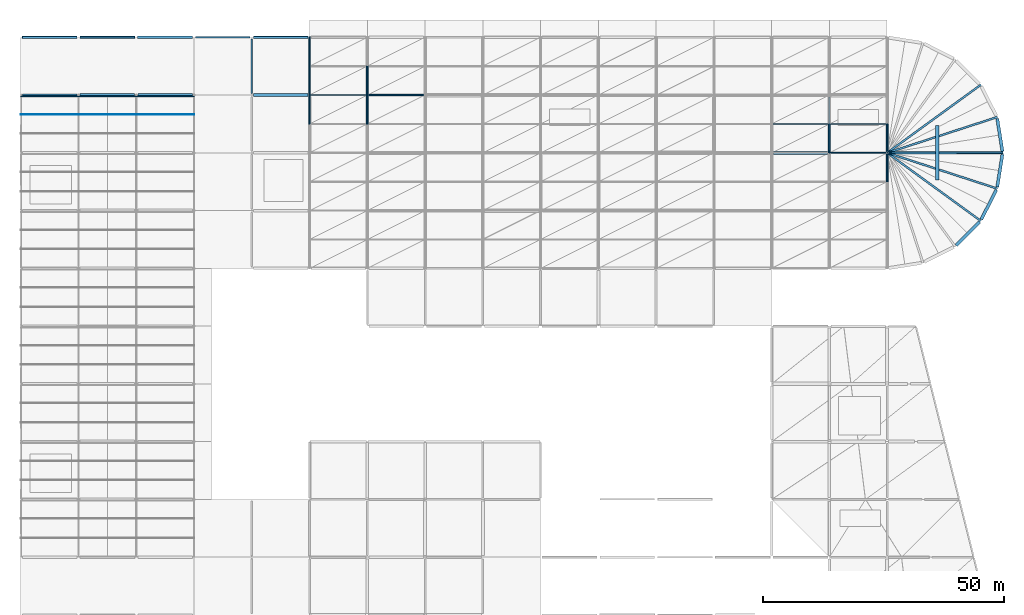
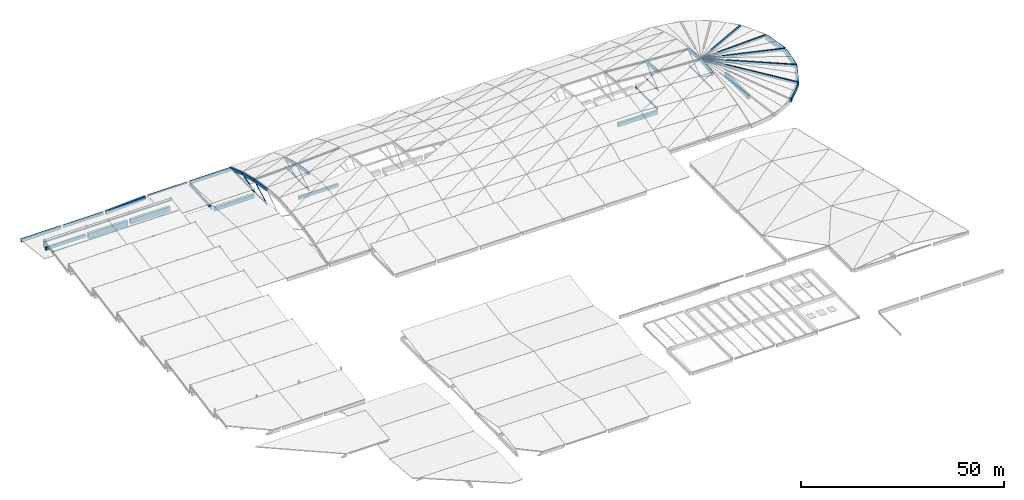
# One storey, part 15 of 23: 39 beams, 19 members.
"""IFC4 building model written with IfcOpenShell, lengths in metres."""

from ifc_helpers import new_model, si_unit, direction, frame, origin, origin_2d, place, context, subcontext, project, spatial, rectangle, hollow_circle, i_section, extrude, material, material_profile, profile_set, type_object, element, save


model = new_model("IFC4")

# Units and contexts
model_context = context("Model", 3, precision=1e-05, world=origin(), true_north=direction((0.0, 1.0)))
body_context = subcontext(model_context, "Body", "Model", "MODEL_VIEW")
ifc_project = project(units=[si_unit("LENGTHUNIT", "METRE"), si_unit("AREAUNIT", "SQUARE_METRE"), si_unit("VOLUMEUNIT", "CUBIC_METRE"), si_unit("PLANEANGLEUNIT", "RADIAN"), si_unit("MASSUNIT", "GRAM", prefix="KILO")], contexts=[model_context])

# Site, building, storey
site_placement = place(None, origin())
site = spatial("IfcSite", under=ifc_project, at=site_placement, CompositionType="ELEMENT")
building_placement = place(site_placement, origin())
building = spatial("IfcBuilding", under=site, at=building_placement, Name="Kamomehara Wholesale Market", CompositionType="ELEMENT")
storey_placement = place(building_placement, frame((0.0, 0.0, 21.0)))
storey = spatial("IfcBuildingStorey", under=building, at=storey_placement, Name="RF", CompositionType="ELEMENT", Elevation=21.0)

# Beams
ifc_material_1 = material(Name="Precast concrete Fc45 (C40/50)", Category="concrete")
ifc_material_profile_1 = material_profile(ifc_material_1, rectangle(XDim=0.60009765625, YDim=1.10009765625, at=origin_2d()), Name="PC-GRD-600x1100")
ifc_profile_set_1 = profile_set([ifc_material_profile_1], Name="Precast concrete Fc45 (C40/50)")
beam_type_1 = type_object("IfcBeamType", Name="BM-PG1100", PredefinedType="T_BEAM", material=ifc_profile_set_1)
beam_1_placement = place(storey_placement, frame((48.360107421875, 144.0, -10.14990234375), z_axis=(1.0, 0.0, 0.0), x_axis=(0.0, 1.0, 0.0)))
element("IfcBeam", 1, at=beam_1_placement, inside=storey, type_object=beam_type_1, Name="Beam PG-07 RF", PredefinedType="T_BEAM", context=body_context, shape_type="SweptSolid", body=[
    extrude(rectangle(XDim=0.60009765625, YDim=1.10009765625, at=origin_2d()), origin(), (0.0, 0.0, 1.0), 11.27978515625),
])
ifc_material_2 = material(Name="Precast concrete Fc45 (C40/50)", Category="concrete")
ifc_material_profile_2 = material_profile(ifc_material_2, rectangle(XDim=0.580078125, YDim=1.179931640625, at=origin_2d()), Name="PC-GRD-580x1180")
ifc_profile_set_2 = profile_set([ifc_material_profile_2], Name="Precast concrete Fc45 (C40/50)")
beam_type_2 = type_object("IfcBeamType", Name="BM-PG1180", PredefinedType="T_BEAM", material=ifc_profile_set_2)
beam_2_placement = place(storey_placement, frame((156.375, 132.0, -15.342041015625), z_axis=(1.0, 0.0, 0.0), x_axis=(0.0, 1.0, 0.0)))
element("IfcBeam", 2, at=beam_2_placement, inside=storey, type_object=beam_type_2, Name="Beam PG-14 RF", PredefinedType="T_BEAM", context=body_context, shape_type="SweptSolid", body=[
    extrude(rectangle(XDim=0.580078125, YDim=1.179931640625, at=origin_2d()), origin(), (0.0, 0.0, 1.0), 11.25),
])
ifc_material_3 = material(Name="Precast concrete Fc45 (C40/50)", Category="concrete")
ifc_material_profile_3 = material_profile(ifc_material_3, rectangle(XDim=0.64990234375, YDim=1.35009765625, at=origin_2d()), Name="PC-GRD-650x1350")
ifc_profile_set_3 = profile_set([ifc_material_profile_3], Name="Precast concrete Fc45 (C40/50)")
beam_type_3 = type_object("IfcBeamType", Name="BM-PG1350", PredefinedType="T_BEAM", material=ifc_profile_set_3)
beam_3_placement = place(storey_placement, frame((190.39208984375, 126.324951171875, -15.4169921875), z_axis=(0.0, 1.0, 0.0), x_axis=(-1.0, 0.0, 0.0)))
element("IfcBeam", 3, at=beam_3_placement, inside=storey, type_object=beam_type_3, Name="Beam PG-03 RF", PredefinedType="T_BEAM", context=body_context, shape_type="SweptSolid", body=[
    extrude(rectangle(XDim=0.64990234375, YDim=1.35009765625, at=origin_2d()), origin(), (0.0, 0.0, 1.0), 11.35009765625),
])
ifc_material_4 = material(Name="Precast concrete Fc45 (C40/50)", Category="concrete")
ifc_material_profile_4 = material_profile(ifc_material_4, rectangle(XDim=0.699951171875, YDim=1.39990234375, at=origin_2d()), Name="PC-GRD-700x1400")
ifc_profile_set_4 = profile_set([ifc_material_profile_4], Name="Precast concrete Fc45 (C40/50)")
beam_type_4 = type_object("IfcBeamType", Name="BM-PG1400", PredefinedType="T_BEAM", material=ifc_profile_set_4)
beam_4_placement = place(storey_placement, frame((24.340087890625, 144.0, -5.5), z_axis=(1.0, 0.0, 0.0), x_axis=(0.0, 1.0, 0.0)))
element("IfcBeam", 4, at=beam_4_placement, inside=storey, type_object=beam_type_4, Name="Beam PG-02 RF", PredefinedType="T_BEAM", context=body_context, shape_type="SweptSolid", body=[
    extrude(rectangle(XDim=0.699951171875, YDim=1.39990234375, at=origin_2d()), origin(), (0.0, 0.0, 1.0), 11.31982421875),
])
ifc_material_5 = material(Name="Precast concrete Fc45 (C40/50)", Category="concrete")
ifc_material_profile_5 = material_profile(ifc_material_5, rectangle(XDim=0.75, YDim=1.5, at=origin_2d()), Name="PC-GRD-750x1500")
ifc_profile_set_5 = profile_set([ifc_material_profile_5], Name="Precast concrete Fc45 (C40/50)")
beam_type_5 = type_object("IfcBeamType", Name="BM-PG1500", PredefinedType="T_BEAM", material=ifc_profile_set_5)
beam_5_placement = place(storey_placement, frame((12.340087890625, 144.0, -5.550048828125), z_axis=(1.0, 0.0, 0.0), x_axis=(0.0, 1.0, 0.0)))
element("IfcBeam", 5, at=beam_5_placement, inside=storey, type_object=beam_type_5, Name="Beam PG-01 RF", PredefinedType="T_BEAM", context=body_context, shape_type="SweptSolid", body=[
    extrude(rectangle(XDim=0.75, YDim=1.5, at=origin_2d()), origin(), (0.0, 0.0, 1.0), 11.31982421875),
])
ifc_material_6 = material(Name="Precast concrete Fc45 (C40/50)", Category="concrete")
ifc_material_profile_6 = material_profile(ifc_material_6, rectangle(XDim=0.5, YDim=0.89990234375, at=origin_2d()), Name="PC-GRD-500x900")
ifc_profile_set_6 = profile_set([ifc_material_profile_6], Name="Precast concrete Fc45 (C40/50)")
beam_type_6 = type_object("IfcBeamType", Name="BM-PG900", PredefinedType="T_BEAM", material=ifc_profile_set_6)
beam_6_placement = place(storey_placement, frame((0.340087890625, 144.0, -5.25), z_axis=(1.0, 0.0, 0.0), x_axis=(0.0, 1.0, 0.0)))
element("IfcBeam", 6, at=beam_6_placement, inside=storey, type_object=beam_type_6, Name="Beam PG-10 RF", PredefinedType="T_BEAM", context=body_context, shape_type="SweptSolid", body=[
    extrude(rectangle(XDim=0.5, YDim=0.89990234375, at=origin_2d()), origin(), (0.0, 0.0, 1.0), 11.31982421875),
])
ifc_material_7 = material(Name="Precast concrete Fc45 (C40/50)", Category="concrete")
ifc_material_profile_7 = material_profile(ifc_material_7, rectangle(XDim=0.47998046875, YDim=0.949951171875, at=origin_2d()), Name="PC-GRD-480x950")
ifc_profile_set_7 = profile_set([ifc_material_profile_7], Name="Precast concrete Fc45 (C40/50)")
beam_type_7 = type_object("IfcBeamType", Name="BM-PG950", PredefinedType="T_BEAM", material=ifc_profile_set_7)
beam_7_placement = place(storey_placement, frame((72.375, 144.0, -15.217041015625), z_axis=(1.0, 0.0, 0.0), x_axis=(0.0, 1.0, 0.0)))
element("IfcBeam", 7, at=beam_7_placement, inside=storey, type_object=beam_type_7, Name="Beam PG-16 RF", PredefinedType="T_BEAM", context=body_context, shape_type="SweptSolid", body=[
    extrude(rectangle(XDim=0.47998046875, YDim=0.949951171875, at=origin_2d()), origin(), (0.0, 0.0, 1.0), 11.25),
])
ifc_material_8 = material(Name="Concrete Fc36 (C35/45)", Category="concrete")
ifc_material_profile_8 = material_profile(ifc_material_8, rectangle(XDim=0.39990234375, YDim=0.699951171875, at=origin_2d()), Name="RC-RIB-400x700")
ifc_profile_set_8 = profile_set([ifc_material_profile_8], Name="Concrete Fc36 (C35/45)")
beam_type_8 = type_object("IfcBeamType", Name="BM-RIB700", PredefinedType="BEAM", material=ifc_profile_set_8)
beam_8_placement = place(storey_placement, frame((199.416015625, 117.89306640625, -9.25), z_axis=(-0.789975624552, 0.573966043882, 0.215642048504), x_axis=(-0.587795411361, -0.809009613282, 0.0)))
element("IfcBeam", 8, at=beam_8_placement, inside=storey, type_object=beam_type_8, Name="Apse radial shell rib 6", PredefinedType="BEAM", context=body_context, shape_type="SweptSolid", body=[
    extrude(rectangle(XDim=0.39990234375, YDim=0.699951171875, at=origin_2d()), origin(), (0.0, 0.0, 1.0), 24.577880859375),
])
beam_9_placement = place(storey_placement, frame((202.824951171875, 124.583984375, -9.25), z_axis=(-0.928683199088, 0.301736860826, 0.215644110866), x_axis=(-0.30900717359, -0.951059707206, 0.0)))
element("IfcBeam", 9, at=beam_9_placement, inside=storey, type_object=beam_type_8, Name="Apse radial shell rib 8", PredefinedType="BEAM", context=body_context, shape_type="SweptSolid", body=[
    extrude(rectangle(XDim=0.39990234375, YDim=0.699951171875, at=origin_2d()), origin(), (0.0, 0.0, 1.0), 24.57763671875),
])
beam_10_placement = place(storey_placement, frame((204.0, 132.0, -9.25), z_axis=(-0.976472984416, 0.0, 0.215639770698), x_axis=(0.0, -1.0, 0.0)))
element("IfcBeam", 10, at=beam_10_placement, inside=storey, type_object=beam_type_8, Name="Apse radial shell rib 10", PredefinedType="BEAM", context=body_context, shape_type="SweptSolid", body=[
    extrude(rectangle(XDim=0.39990234375, YDim=0.699951171875, at=origin_2d()), origin(), (0.0, 0.0, 1.0), 24.578369140625),
])
beam_11_placement = place(storey_placement, frame((202.824951171875, 139.416015625, -9.25), z_axis=(-0.928683199088, -0.301736860826, 0.215644110866), x_axis=(0.30900717359, -0.951059707206, 0.0)))
element("IfcBeam", 11, at=beam_11_placement, inside=storey, type_object=beam_type_8, Name="Apse radial shell rib 12", PredefinedType="BEAM", context=body_context, shape_type="SweptSolid", body=[
    extrude(rectangle(XDim=0.39990234375, YDim=0.699951171875, at=origin_2d()), origin(), (0.0, 0.0, 1.0), 24.57763671875),
])
beam_12_placement = place(storey_placement, frame((199.416015625, 146.10693359375, -9.25), z_axis=(-0.789975624552, -0.573966043882, 0.215642048504), x_axis=(0.587795411361, -0.809009613282, 0.0)))
element("IfcBeam", 12, at=beam_12_placement, inside=storey, type_object=beam_type_8, Name="Apse radial shell rib 14", PredefinedType="BEAM", context=body_context, shape_type="SweptSolid", body=[
    extrude(rectangle(XDim=0.39990234375, YDim=0.699951171875, at=origin_2d()), origin(), (0.0, 0.0, 1.0), 24.577880859375),
])
ifc_material_9 = material(Name="Concrete Fc36 (C35/45)", Category="concrete")
ifc_material_profile_9 = material_profile(ifc_material_9, rectangle(XDim=0.449951171875, YDim=0.800048828125, at=origin_2d()), Name="RC-RIB-450x800")
ifc_profile_set_9 = profile_set([ifc_material_profile_9], Name="Concrete Fc36 (C35/45)")
beam_type_9 = type_object("IfcBeamType", Name="BM-RIB800", PredefinedType="BEAM", material=ifc_profile_set_9)
beam_13_placement = place(storey_placement, frame((72.0, 138.0, -4.205078125), z_axis=(0.0, 0.986046918552, -0.166467637739), x_axis=(-1.0, 0.0, 0.0)))
element("IfcBeam", 13, at=beam_13_placement, inside=storey, type_object=beam_type_9, Name="Shell arch rib V1 14", PredefinedType="BEAM", context=body_context, shape_type="SweptSolid", body=[
    extrude(rectangle(XDim=0.449951171875, YDim=0.800048828125, at=origin_2d()), origin(), (0.0, 0.0, 1.0), 6.0849609375),
])
beam_14_placement = place(storey_placement, frame((72.0, 144.0, -5.218017578125), z_axis=(0.0, 0.962630519631, -0.270818172719), x_axis=(-1.0, 0.0, 0.0)))
element("IfcBeam", 14, at=beam_14_placement, inside=storey, type_object=beam_type_9, Name="Shell arch rib V1 15", PredefinedType="BEAM", context=body_context, shape_type="SweptSolid", body=[
    extrude(rectangle(XDim=0.449951171875, YDim=0.800048828125, at=origin_2d()), origin(), (0.0, 0.0, 1.0), 6.23291015625),
])
for number, where, z_axis, x_axis, name in (
    (15, (180.0, 126.0, -4.722900390625), (0.0, 0.99577984843, 0.091774143746), (-1.0, 0.0, 0.0), "Shell arch rib V1 84"),
    (16, (180.0, 132.0, -4.169921875), (0.0, 0.99577984843, -0.091774143746), (-1.0, 0.0, 0.0), "Shell arch rib V1 85"),
):
    element("IfcBeam", number, at=place(storey_placement, frame(where, z_axis=z_axis, x_axis=x_axis)), inside=storey, type_object=beam_type_9, Name=name, PredefinedType="BEAM", context=body_context, shape_type="SweptSolid", body=[
        extrude(rectangle(XDim=0.449951171875, YDim=0.800048828125, at=origin_2d()), origin(), (0.0, 0.0, 1.0), 6.025390625),
    ])
ifc_material_10 = material(Name="Concrete Fc36 (C35/45)", Category="concrete")
ifc_material_profile_10 = material_profile(ifc_material_10, rectangle(XDim=0.5, YDim=0.85009765625, at=origin_2d()), Name="RC-RIB-500x850")
ifc_profile_set_10 = profile_set([ifc_material_profile_10], Name="Concrete Fc36 (C35/45)")
beam_type_10 = type_object("IfcBeamType", Name="BM-RIB850", PredefinedType="BEAM", material=ifc_profile_set_10)
beam_15_placement = place(storey_placement, frame((60.0, 138.0, -4.748046875), z_axis=(0.0, 0.988695452542, -0.149937660792), x_axis=(-1.0, 0.0, 0.0)))
element("IfcBeam", 17, at=beam_15_placement, inside=storey, type_object=beam_type_10, Name="Shell arch rib V1 6", PredefinedType="BEAM", context=body_context, shape_type="SweptSolid", body=[
    extrude(rectangle(XDim=0.5, YDim=0.85009765625, at=origin_2d()), origin(), (0.0, 0.0, 1.0), 6.068603515625),
])
beam_16_placement = place(storey_placement, frame((60.0, 144.0, -5.657958984375), z_axis=(0.0, 0.969564238465, -0.244837063147), x_axis=(-1.0, 0.0, 0.0)))
element("IfcBeam", 18, at=beam_16_placement, inside=storey, type_object=beam_type_10, Name="Shell arch rib V1 7", PredefinedType="BEAM", context=body_context, shape_type="SweptSolid", body=[
    extrude(rectangle(XDim=0.5, YDim=0.85009765625, at=origin_2d()), origin(), (0.0, 0.0, 1.0), 6.188232421875),
])
beam_17_placement = place(storey_placement, frame((60.0, 150.0, -7.173095703125), z_axis=(0.0, 0.942784060421, -0.333403982305), x_axis=(-1.0, 0.0, 0.0)))
element("IfcBeam", 19, at=beam_17_placement, inside=storey, type_object=beam_type_10, Name="Shell arch rib V1 8", PredefinedType="BEAM", context=body_context, shape_type="SweptSolid", body=[
    extrude(rectangle(XDim=0.5, YDim=0.85009765625, at=origin_2d()), origin(), (0.0, 0.0, 1.0), 6.364013671875),
])
beam_18_placement = place(storey_placement, frame((168.0, 132.0, -3.64208984375), z_axis=(0.0, 0.995234075156, -0.097514797077), x_axis=(-1.0, 0.0, 0.0)))
element("IfcBeam", 20, at=beam_18_placement, inside=storey, type_object=beam_type_10, Name="Shell arch rib V1 77", PredefinedType="BEAM", context=body_context, shape_type="SweptSolid", body=[
    extrude(rectangle(XDim=0.5, YDim=0.85009765625, at=origin_2d()), origin(), (0.0, 0.0, 1.0), 6.02880859375),
])
ifc_material_11 = material(Name="Concrete Fc36 (C35/45)", Category="concrete")
ifc_material_profile_11 = material_profile(ifc_material_11, rectangle(XDim=0.550048828125, YDim=1.0, at=origin_2d()), Name="RC-SEB-550x1000")
ifc_profile_set_11 = profile_set([ifc_material_profile_11], Name="Concrete Fc36 (C35/45)")
beam_type_11 = type_object("IfcBeamType", Name="BM-SEB1000-EXT", PredefinedType="SPANDREL", material=ifc_profile_set_11)
beam_19_placement = place(storey_placement, frame((24.324951171875, 156.0, -10.09912109375), z_axis=(0.998605221282, 0.0, 0.052797841125), x_axis=(0.0, 1.0, 0.0)))
element("IfcBeam", 21, at=beam_19_placement, inside=storey, type_object=beam_type_11, Name="Beam SEB-03E RF", PredefinedType="SPANDREL", context=body_context, shape_type="SweptSolid", body=[
    extrude(rectangle(XDim=0.550048828125, YDim=1.0, at=origin_2d()), origin(), (0.0, 0.0, 1.0), 11.365966796875),
])
ifc_material_12 = material(Name="Concrete Fc36 (C35/45)", Category="concrete")
ifc_material_profile_12 = material_profile(ifc_material_12, rectangle(XDim=0.64990234375, YDim=1.199951171875, at=origin_2d()), Name="RC-SEB-650x1200")
ifc_profile_set_12 = profile_set([ifc_material_profile_12], Name="Concrete Fc36 (C35/45)")
beam_type_12 = type_object("IfcBeamType", Name="BM-SEB1200-EXT", PredefinedType="SPANDREL", material=ifc_profile_set_12)
beam_20_placement = place(storey_placement, frame((194.3330078125, 112.81005859375, -9.60009765625), z_axis=(0.707106781187, 0.707106781187, 0.0), x_axis=(-0.707106781187, 0.707106781187, 0.0)))
element("IfcBeam", 22, at=beam_20_placement, inside=storey, type_object=beam_type_12, Name="Beam SEB-01E RF", PredefinedType="SPANDREL", context=body_context, shape_type="SweptSolid", body=[
    extrude(rectangle(XDim=0.64990234375, YDim=1.199951171875, at=origin_2d()), origin(), (0.0, 0.0, 1.0), 6.86865234375),
])
beam_21_placement = place(storey_placement, frame((199.56103515625, 118.177978515625, -9.60009765625), z_axis=(0.453995519716, 0.891003966365, 0.0), x_axis=(-0.891003966365, 0.453995519716, 0.0)))
element("IfcBeam", 23, at=beam_21_placement, inside=storey, type_object=beam_type_12, Name="Beam SEB-01E RF", PredefinedType="SPANDREL", context=body_context, shape_type="SweptSolid", body=[
    extrude(rectangle(XDim=0.64990234375, YDim=1.199951171875, at=origin_2d()), origin(), (0.0, 0.0, 1.0), 6.869873046875),
])
for number, where, z_axis, x_axis, name in (
    (24, (202.875, 124.89990234375, -9.60009765625), (0.156497333814, 0.987678381109, 0.0), (-0.987678381109, 0.156497333814, 0.0), "Beam SEB-01E RF"),
    (25, (203.949951171875, 132.31591796875, -9.60009765625), (-0.156497333814, 0.987678381109, 0.0), (-0.987678381109, -0.156497333814, 0.0), "Beam SEB-01E RF"),
):
    element("IfcBeam", number, at=place(storey_placement, frame(where, z_axis=z_axis, x_axis=x_axis)), inside=storey, type_object=beam_type_12, Name=name, PredefinedType="SPANDREL", context=body_context, shape_type="SweptSolid", body=[
        extrude(rectangle(XDim=0.64990234375, YDim=1.199951171875, at=origin_2d()), origin(), (0.0, 0.0, 1.0), 6.868896484375),
    ])
ifc_material_13 = material(Name="Precast concrete Fc45 (C40/50)", Category="concrete")
ifc_material_profile_13 = material_profile(ifc_material_13, rectangle(XDim=0.35009765625, YDim=0.85009765625, at=origin_2d()), Name="PC-SPN-350x850")
ifc_profile_set_13 = profile_set([ifc_material_profile_13], Name="Precast concrete Fc45 (C40/50)")
beam_type_13 = type_object("IfcBeamType", Name="BM-SPN850-EXT", PredefinedType="SPANDREL", material=ifc_profile_set_13)
beam_22_placement = place(storey_placement, frame((12.324951171875, 156.0, -10.02490234375), z_axis=(1.0, 0.0, 0.0), x_axis=(0.0, 1.0, 0.0)))
element("IfcBeam", 26, at=beam_22_placement, inside=storey, type_object=beam_type_13, Name="Beam SPN-02E RF", PredefinedType="SPANDREL", context=body_context, shape_type="SweptSolid", body=[
    extrude(rectangle(XDim=0.35009765625, YDim=0.85009765625, at=origin_2d()), origin(), (0.0, 0.0, 1.0), 11.35009765625),
])
ifc_material_14 = material(Name="Precast concrete Fc45 (C40/50)", Category="concrete")
ifc_material_profile_14 = material_profile(ifc_material_14, rectangle(XDim=0.39990234375, YDim=0.949951171875, at=origin_2d()), Name="PC-SPN-400x950")
ifc_profile_set_14 = profile_set([ifc_material_profile_14], Name="Precast concrete Fc45 (C40/50)")
beam_type_14 = type_object("IfcBeamType", Name="BM-SPN950-EXT", PredefinedType="SPANDREL", material=ifc_profile_set_14)
beam_23_placement = place(storey_placement, frame((0.324951171875, 156.0, -10.074951171875), z_axis=(1.0, 0.0, 0.0), x_axis=(0.0, 1.0, 0.0)))
element("IfcBeam", 27, at=beam_23_placement, inside=storey, type_object=beam_type_14, Name="Beam SPN-01E RF", PredefinedType="SPANDREL", context=body_context, shape_type="SweptSolid", body=[
    extrude(rectangle(XDim=0.39990234375, YDim=0.949951171875, at=origin_2d()), origin(), (0.0, 0.0, 1.0), 11.35009765625),
])
beam_24_placement = place(storey_placement, frame((48.360107421875, 156.0, -9.47509765625), z_axis=(1.0, 0.0, 0.0), x_axis=(0.0, 1.0, 0.0)))
element("IfcBeam", 28, at=beam_24_placement, inside=storey, type_object=beam_type_14, Name="Beam SPN-01E RF", PredefinedType="SPANDREL", context=body_context, shape_type="SweptSolid", body=[
    extrude(rectangle(XDim=0.39990234375, YDim=0.949951171875, at=origin_2d()), origin(), (0.0, 0.0, 1.0), 11.27978515625),
])
ifc_material_15 = material(Name="Steel SN400B", Category="steel")
ifc_material_profile_15 = material_profile(ifc_material_15, i_section(OverallWidth=0.14990234375, OverallDepth=0.300048828125, WebThickness=0.006591796875, FlangeThickness=0.009033203125, FilletRadius=0.012939453125, at=origin_2d()), Name="H-300x150x6.5x9")
ifc_profile_set_15 = profile_set([ifc_material_profile_15], Name="Steel SN400B")
beam_type_15 = type_object("IfcBeamType", Name="BM-ST-H300", PredefinedType="JOIST", material=ifc_profile_set_15)
beam_25_placement = place(storey_placement, frame((60.0, 144.0, -5.423095703125), z_axis=(0.999402420026, 0.0, 0.034565920289), x_axis=(0.0, 1.0, 0.0)))
element("IfcBeam", 29, at=beam_25_placement, inside=storey, type_object=beam_type_15, Name="Shell longitudinal purlin V1 6", PredefinedType="JOIST", context=body_context, shape_type="SweptSolid", body=[
    extrude(i_section(OverallWidth=0.14990234375, OverallDepth=0.300048828125, WebThickness=0.006591796875, FlangeThickness=0.009033203125, FilletRadius=0.012939453125, at=origin_2d()), origin(), (0.0, 0.0, 1.0), 12.007080078125),
])
beam_26_placement = place(storey_placement, frame((72.0, 144.0, -5.008056640625), z_axis=(0.998439658361, 0.0, 0.055841280535), x_axis=(0.0, 1.0, 0.0)))
element("IfcBeam", 30, at=beam_26_placement, inside=storey, type_object=beam_type_15, Name="Shell longitudinal purlin V1 13", PredefinedType="JOIST", context=body_context, shape_type="SweptSolid", body=[
    extrude(i_section(OverallWidth=0.14990234375, OverallDepth=0.300048828125, WebThickness=0.006591796875, FlangeThickness=0.009033203125, FilletRadius=0.012939453125, at=origin_2d()), origin(), (0.0, 0.0, 1.0), 12.018798828125),
])
beam_27_placement = place(storey_placement, frame((156.0, 138.0, -3.156982421875), z_axis=(0.997569756374, 0.0, -0.069674824496), x_axis=(0.0, 1.0, 0.0)))
element("IfcBeam", 31, at=beam_27_placement, inside=storey, type_object=beam_type_15, Name="Shell longitudinal purlin V1 61", PredefinedType="JOIST", context=body_context, shape_type="SweptSolid", body=[
    extrude(i_section(OverallWidth=0.14990234375, OverallDepth=0.300048828125, WebThickness=0.006591796875, FlangeThickness=0.009033203125, FilletRadius=0.012939453125, at=origin_2d()), origin(), (0.0, 0.0, 1.0), 12.029296875),
])
beam_28_placement = place(storey_placement, frame((168.0, 132.0, -3.406982421875), z_axis=(0.998939933695, 0.0, -0.046032693478), x_axis=(0.0, 1.0, 0.0)))
element("IfcBeam", 32, at=beam_28_placement, inside=storey, type_object=beam_type_15, Name="Shell longitudinal purlin V1 67", PredefinedType="JOIST", context=body_context, shape_type="SweptSolid", body=[
    extrude(i_section(OverallWidth=0.14990234375, OverallDepth=0.300048828125, WebThickness=0.006591796875, FlangeThickness=0.009033203125, FilletRadius=0.012939453125, at=origin_2d()), origin(), (0.0, 0.0, 1.0), 12.0126953125),
])
beam_29_placement = place(storey_placement, frame((168.0, 138.0, -3.9951171875), z_axis=(0.999070256927, 0.0, -0.04311173533), x_axis=(0.0, 1.0, 0.0)))
element("IfcBeam", 33, at=beam_29_placement, inside=storey, type_object=beam_type_15, Name="Shell longitudinal purlin V1 68", PredefinedType="JOIST", context=body_context, shape_type="SweptSolid", body=[
    extrude(i_section(OverallWidth=0.14990234375, OverallDepth=0.300048828125, WebThickness=0.006591796875, FlangeThickness=0.009033203125, FilletRadius=0.012939453125, at=origin_2d()), origin(), (0.0, 0.0, 1.0), 12.01123046875),
])
beam_30_placement = place(storey_placement, frame((0.0, 143.77001953125, -2.9599609375), z_axis=(1.0, 0.0, 0.0), x_axis=(0.0, 1.0, 0.0)))
element("IfcBeam", 34, at=beam_30_placement, inside=storey, type_object=beam_type_15, Name="Monitor steel ridge beam V3 8.1", PredefinedType="JOIST", context=body_context, shape_type="SweptSolid", body=[
    extrude(i_section(OverallWidth=0.14990234375, OverallDepth=0.300048828125, WebThickness=0.006591796875, FlangeThickness=0.009033203125, FilletRadius=0.012939453125, at=origin_2d()), origin(), (0.0, 0.0, 1.0), 11.97998046875),
])
beam_31_placement = place(storey_placement, frame((12.02001953125, 143.77001953125, -2.9599609375), z_axis=(1.0, 0.0, 0.0), x_axis=(0.0, 1.0, 0.0)))
element("IfcBeam", 35, at=beam_31_placement, inside=storey, type_object=beam_type_15, Name="Monitor steel ridge beam V3 8.2", PredefinedType="JOIST", context=body_context, shape_type="SweptSolid", body=[
    extrude(i_section(OverallWidth=0.14990234375, OverallDepth=0.300048828125, WebThickness=0.006591796875, FlangeThickness=0.009033203125, FilletRadius=0.012939453125, at=origin_2d()), origin(), (0.0, 0.0, 1.0), 11.9599609375),
])
beam_32_placement = place(storey_placement, frame((24.02001953125, 143.77001953125, -2.9599609375), z_axis=(1.0, 0.0, 0.0), x_axis=(0.0, 1.0, 0.0)))
element("IfcBeam", 36, at=beam_32_placement, inside=storey, type_object=beam_type_15, Name="Monitor steel ridge beam V3 8.3", PredefinedType="JOIST", context=body_context, shape_type="SweptSolid", body=[
    extrude(i_section(OverallWidth=0.14990234375, OverallDepth=0.300048828125, WebThickness=0.006591796875, FlangeThickness=0.009033203125, FilletRadius=0.012939453125, at=origin_2d()), origin(), (0.0, 0.0, 1.0), 11.97998046875),
])
ifc_material_16 = material(Name="Steel SN490B", Category="steel")
ifc_material_profile_16 = material_profile(ifc_material_16, i_section(OverallWidth=0.300048828125, OverallDepth=0.389892578125, WebThickness=0.010009765625, FlangeThickness=0.01611328125, FilletRadius=0.01806640625, at=origin_2d()), Name="H-390x300x10x16")
ifc_profile_set_16 = profile_set([ifc_material_profile_16], Name="Steel SN490B")
beam_type_16 = type_object("IfcBeamType", Name="BM-ST-H390-EXT", PredefinedType="SPANDREL", material=ifc_profile_set_16)
beam_33_placement = place(storey_placement, frame((168.0, 132.375, -14.947021484375), z_axis=(0.0, 1.0, 0.0), x_axis=(-1.0, 0.0, 0.0)))
element("IfcBeam", 37, at=beam_33_placement, inside=storey, type_object=beam_type_16, Name="Beam SJ-03E RF", PredefinedType="SPANDREL", context=body_context, shape_type="SweptSolid", body=[
    extrude(i_section(OverallWidth=0.300048828125, OverallDepth=0.389892578125, WebThickness=0.010009765625, FlangeThickness=0.01611328125, FilletRadius=0.01806640625, at=origin_2d()), origin(), (0.0, 0.0, 1.0), 11.25),
])
beam_34_placement = place(storey_placement, frame((36.324951171875, 156.0, -9.195068359375), z_axis=(1.0, 0.0, 0.0), x_axis=(0.0, 1.0, 0.0)))
element("IfcBeam", 38, at=beam_34_placement, inside=storey, type_object=beam_type_16, Name="Beam SJ-03E RF", PredefinedType="SPANDREL", context=body_context, shape_type="SweptSolid", body=[
    extrude(i_section(OverallWidth=0.300048828125, OverallDepth=0.389892578125, WebThickness=0.010009765625, FlangeThickness=0.01611328125, FilletRadius=0.01806640625, at=origin_2d()), origin(), (0.0, 0.0, 1.0), 11.31494140625),
])
ifc_material_17 = material(Name="Steel SN490B", Category="steel")
ifc_material_profile_17 = material_profile(ifc_material_17, i_section(OverallWidth=0.300048828125, OverallDepth=0.89990234375, WebThickness=0.01611328125, FlangeThickness=0.028076171875, FilletRadius=0.02392578125, at=origin_2d()), Name="H-900x300x16x28")
ifc_profile_set_17 = profile_set([ifc_material_profile_17], Name="Steel SN490B")
beam_type_17 = type_object("IfcBeamType", Name="BM-ST-H900", PredefinedType="BEAM", material=ifc_profile_set_17)
beam_35_placement = place(storey_placement, frame((48.0, 144.360107421875, -10.049072265625), z_axis=(0.0, 0.998587815322, 0.05312603026), x_axis=(-1.0, 0.0, 0.0)))
element("IfcBeam", 39, at=beam_35_placement, inside=storey, type_object=beam_type_17, Name="Beam SG-01 RF", PredefinedType="BEAM", context=body_context, shape_type="SweptSolid", body=[
    extrude(i_section(OverallWidth=0.300048828125, OverallDepth=0.89990234375, WebThickness=0.01611328125, FlangeThickness=0.028076171875, FilletRadius=0.02392578125, at=origin_2d()), origin(), (0.0, 0.0, 1.0), 11.295654296875),
])

# Members
ifc_material_18 = material(Name="Steel SN400B", Category="steel")
ifc_material_profile_18 = material_profile(ifc_material_18, hollow_circle(Radius=0.06982421875, WallThickness=0.006591796875, at=origin_2d()), Name="CHS-139.8x6.6")
ifc_profile_set_18 = profile_set([ifc_material_profile_18], Name="Steel SN400B")
member_type_1 = type_object("IfcMemberType", Name="MEM-BR-CHS139", PredefinedType="BRACE", material=ifc_profile_set_18)
member_1_placement = place(storey_placement, frame((60.0, 138.0, -9.25), z_axis=(0.0, 0.876709535058, 0.481020156686), x_axis=(-1.0, 0.0, 0.0)))
element("IfcMember", 40, at=member_1_placement, inside=storey, type_object=member_type_1, Name="Arch truss diagonal B V1 6", PredefinedType="BRACE", context=body_context, shape_type="SweptSolid", body=[
    extrude(hollow_circle(Radius=0.06982421875, WallThickness=0.006591796875, at=origin_2d()), origin(), (0.0, 0.0, 1.0), 6.84375),
])
member_2_placement = place(storey_placement, frame((60.0, 144.0, -9.25), z_axis=(0.0, 0.958827626924, 0.283988700211), x_axis=(-1.0, 0.0, 0.0)))
element("IfcMember", 41, at=member_2_placement, inside=storey, type_object=member_type_1, Name="Arch truss diagonal B V1 7", PredefinedType="BRACE", context=body_context, shape_type="SweptSolid", body=[
    extrude(hollow_circle(Radius=0.06982421875, WallThickness=0.006591796875, at=origin_2d()), origin(), (0.0, 0.0, 1.0), 6.257568359375),
])
member_3_placement = place(storey_placement, frame((60.0, 150.0, -9.25), z_axis=(0.0, 0.997786235602, 0.066502842363), x_axis=(-1.0, 0.0, 0.0)))
element("IfcMember", 42, at=member_3_placement, inside=storey, type_object=member_type_1, Name="Arch truss diagonal B V1 8", PredefinedType="BRACE", context=body_context, shape_type="SweptSolid", body=[
    extrude(hollow_circle(Radius=0.06982421875, WallThickness=0.006591796875, at=origin_2d()), origin(), (0.0, 0.0, 1.0), 6.013427734375),
])
member_4_placement = place(storey_placement, frame((72.0, 138.0, -9.25), z_axis=(0.0, 0.849145449836, 0.528159071704), x_axis=(-1.0, 0.0, 0.0)))
element("IfcMember", 43, at=member_4_placement, inside=storey, type_object=member_type_1, Name="Arch truss diagonal B V1 14", PredefinedType="BRACE", context=body_context, shape_type="SweptSolid", body=[
    extrude(hollow_circle(Radius=0.06982421875, WallThickness=0.006591796875, at=origin_2d()), origin(), (0.0, 0.0, 1.0), 7.06591796875),
])
member_5_placement = place(storey_placement, frame((72.0, 144.0, -9.25), z_axis=(0.0, 0.94658288397, 0.322460608097), x_axis=(-1.0, 0.0, 0.0)))
element("IfcMember", 44, at=member_5_placement, inside=storey, type_object=member_type_1, Name="Arch truss diagonal B V1 15", PredefinedType="BRACE", context=body_context, shape_type="SweptSolid", body=[
    extrude(hollow_circle(Radius=0.06982421875, WallThickness=0.006591796875, at=origin_2d()), origin(), (0.0, 0.0, 1.0), 6.338623046875),
])
member_6_placement = place(storey_placement, frame((168.0, 132.0, -9.25), z_axis=(0.0, 0.785956429227, 0.618281886648), x_axis=(-1.0, 0.0, 0.0)))
element("IfcMember", 45, at=member_6_placement, inside=storey, type_object=member_type_1, Name="Arch truss diagonal B V1 77", PredefinedType="BRACE", context=body_context, shape_type="SweptSolid", body=[
    extrude(hollow_circle(Radius=0.06982421875, WallThickness=0.006591796875, at=origin_2d()), origin(), (0.0, 0.0, 1.0), 7.634033203125),
])
member_7_placement = place(storey_placement, frame((180.0, 132.0, -9.25), z_axis=(0.0, 0.817496670848, 0.57593332353), x_axis=(-1.0, 0.0, 0.0)))
element("IfcMember", 46, at=member_7_placement, inside=storey, type_object=member_type_1, Name="Arch truss diagonal B V1 85", PredefinedType="BRACE", context=body_context, shape_type="SweptSolid", body=[
    extrude(hollow_circle(Radius=0.06982421875, WallThickness=0.006591796875, at=origin_2d()), origin(), (0.0, 0.0, 1.0), 7.339599609375),
])
ifc_material_19 = material(Name="Steel SN490B", Category="steel")
ifc_material_profile_19 = material_profile(ifc_material_19, hollow_circle(Radius=0.08251953125, WallThickness=0.007080078125, at=origin_2d()), Name="CHS-165.2x7.1")
ifc_profile_set_19 = profile_set([ifc_material_profile_19], Name="Steel SN490B")
member_type_2 = type_object("IfcMemberType", Name="MEM-BR-CHS165", PredefinedType="BRACE", material=ifc_profile_set_19)
member_8_placement = place(storey_placement, frame((180.0, 132.0, -9.25), z_axis=(0.0, -0.817496670848, 0.57593332353), x_axis=(1.0, 0.0, 0.0)))
element("IfcMember", 47, at=member_8_placement, inside=storey, type_object=member_type_2, Name="Arch truss diagonal A V1 84", PredefinedType="BRACE", context=body_context, shape_type="SweptSolid", body=[
    extrude(hollow_circle(Radius=0.08251953125, WallThickness=0.007080078125, at=origin_2d()), origin(), (0.0, 0.0, 1.0), 7.339599609375),
])
ifc_material_20 = material(Name="Steel SN490B", Category="steel")
ifc_material_profile_20 = material_profile(ifc_material_20, i_section(OverallWidth=0.175048828125, OverallDepth=0.35009765625, WebThickness=0.007080078125, FlangeThickness=0.010986328125, FilletRadius=0.012939453125, at=origin_2d()), Name="H-350x175x7x11")
ifc_profile_set_20 = profile_set([ifc_material_profile_20], Name="Steel SN490B")
member_type_3 = type_object("IfcMemberType", Name="MEM-CH-H350", PredefinedType="CHORD", material=ifc_profile_set_20)
for number, where, z_axis, x_axis, name in (
    (48, (72.0, 138.0, -9.25), (0.0, 1.0, 0.0), (-1.0, 0.0, 0.0), "Arch tie chord V1 14"),
    (49, (72.0, 144.0, -9.25), (0.0, 1.0, 0.0), (-1.0, 0.0, 0.0), "Arch tie chord V1 15"),
    (50, (168.0, 132.0, -9.25), (0.0, 1.0, 0.0), (-1.0, 0.0, 0.0), "Arch tie chord V1 77"),
):
    element("IfcMember", number, at=place(storey_placement, frame(where, z_axis=z_axis, x_axis=x_axis)), inside=storey, type_object=member_type_3, Name=name, PredefinedType="CHORD", context=body_context, shape_type="SweptSolid", body=[
        extrude(i_section(OverallWidth=0.175048828125, OverallDepth=0.35009765625, WebThickness=0.007080078125, FlangeThickness=0.010986328125, FilletRadius=0.012939453125, at=origin_2d()), origin(), (0.0, 0.0, 1.0), 6.0),
    ])
ifc_material_21 = material(Name="Steel SN490B", Category="steel")
ifc_material_profile_21 = material_profile(ifc_material_21, i_section(OverallWidth=0.199951171875, OverallDepth=0.39990234375, WebThickness=0.008056640625, FlangeThickness=0.012939453125, FilletRadius=0.012939453125, at=origin_2d()), Name="H-400x200x8x13")
ifc_profile_set_21 = profile_set([ifc_material_profile_21], Name="Steel SN490B")
member_type_4 = type_object("IfcMemberType", Name="MEM-CH-H400", PredefinedType="CHORD", material=ifc_profile_set_21)
for number, where, z_axis, x_axis, name in (
    (51, (60.0, 138.0, -9.25), (0.0, 1.0, 0.0), (-1.0, 0.0, 0.0), "Arch tie chord V1 6"),
    (52, (60.0, 144.0, -9.25), (0.0, 1.0, 0.0), (-1.0, 0.0, 0.0), "Arch tie chord V1 7"),
    (53, (60.0, 150.0, -9.25), (0.0, 1.0, 0.0), (-1.0, 0.0, 0.0), "Arch tie chord V1 8"),
    (54, (180.0, 126.0, -9.25), (0.0, 1.0, 0.0), (-1.0, 0.0, 0.0), "Arch tie chord V1 84"),
    (55, (180.0, 132.0, -9.25), (0.0, 1.0, 0.0), (-1.0, 0.0, 0.0), "Arch tie chord V1 85"),
):
    element("IfcMember", number, at=place(storey_placement, frame(where, z_axis=z_axis, x_axis=x_axis)), inside=storey, type_object=member_type_4, Name=name, PredefinedType="CHORD", context=body_context, shape_type="SweptSolid", body=[
        extrude(i_section(OverallWidth=0.199951171875, OverallDepth=0.39990234375, WebThickness=0.008056640625, FlangeThickness=0.012939453125, FilletRadius=0.012939453125, at=origin_2d()), origin(), (0.0, 0.0, 1.0), 6.0),
    ])
ifc_material_22 = material(Name="Steel SN400B", Category="steel")
ifc_material_profile_22 = material_profile(ifc_material_22, i_section(OverallWidth=0.10009765625, OverallDepth=0.199951171875, WebThickness=0.005615234375, FlangeThickness=0.008056640625, FilletRadius=0.008056640625, at=origin_2d()), Name="H-200x100x5.5x8")
ifc_profile_set_22 = profile_set([ifc_material_profile_22], Name="Steel SN400B")
member_type_5 = type_object("IfcMemberType", Name="MEM-PR-H200", PredefinedType="PURLIN", material=ifc_profile_set_22)
for number, where, z_axis, x_axis, name in (
    (56, (0.0, 140.0, -3.70703125), (1.0, 0.0, 0.0), (0.0, 1.0, 0.0), "Monitor steel purlin V3 8.2.0"),
    (57, (12.0, 140.0, -3.70703125), (1.0, 0.0, 0.0), (0.0, 1.0, 0.0), "Monitor steel purlin V3 8.2.12"),
    (58, (24.0, 140.0, -3.70703125), (1.0, 0.0, 0.0), (0.0, 1.0, 0.0), "Monitor steel purlin V3 8.2.24"),
):
    element("IfcMember", number, at=place(storey_placement, frame(where, z_axis=z_axis, x_axis=x_axis)), inside=storey, type_object=member_type_5, Name=name, PredefinedType="PURLIN", context=body_context, shape_type="SweptSolid", body=[
        extrude(i_section(OverallWidth=0.10009765625, OverallDepth=0.199951171875, WebThickness=0.005615234375, FlangeThickness=0.008056640625, FilletRadius=0.008056640625, at=origin_2d()), origin(), (0.0, 0.0, 1.0), 12.0),
    ])

save(model, "model.ifc")
